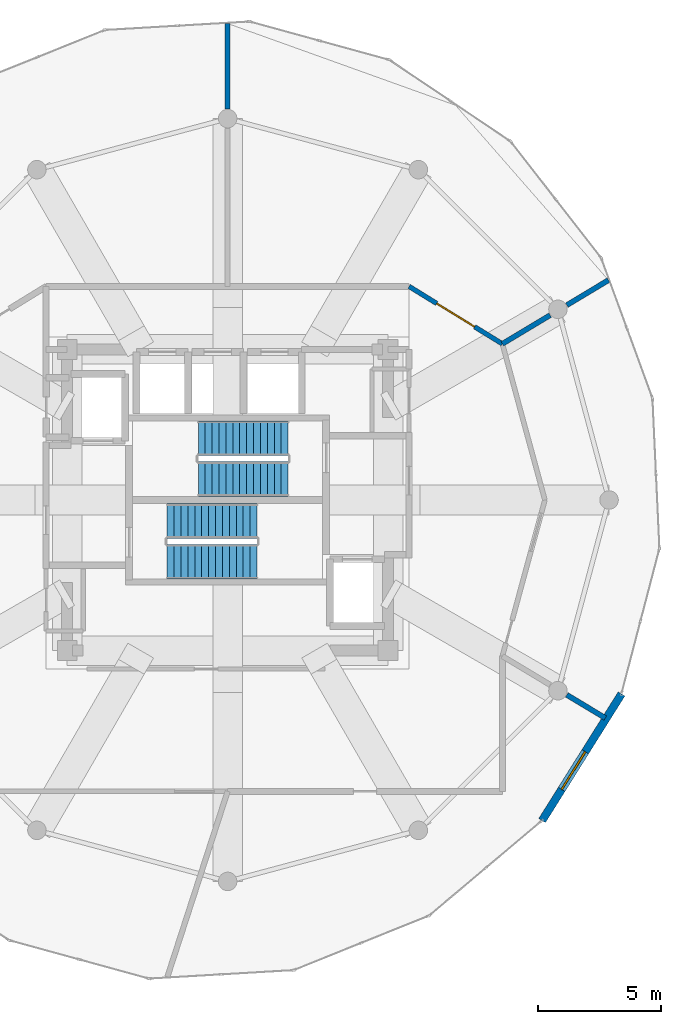
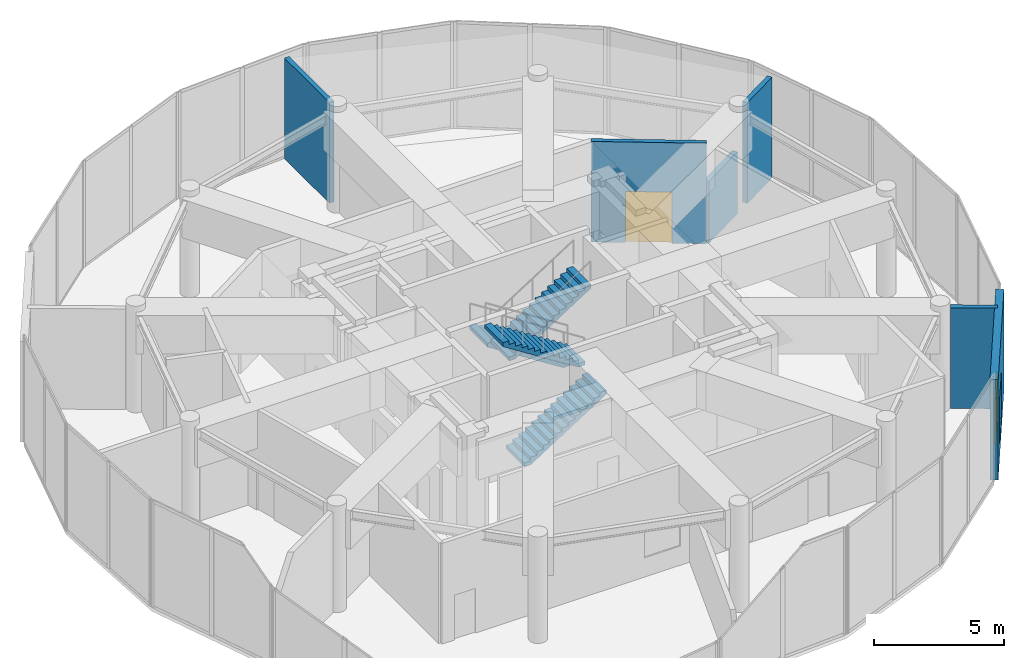
# One storey, part 19 of 20: 6 walls, 4 stair flights, 1 door, 1 window, 2 openings, 2 elements without a shape of their own.
"""IFC4 building model written with IfcOpenShell, lengths in metres."""

import ifcopenshell
import ifcopenshell.guid

model = None  # the IFC model being written
_history = None  # IfcOwnerHistory: only IFC2X3 demands one
_inside = {}  # id of a spatial element -> (the spatial element, [elements in it])
_under = {}  # id of a project, library or spatial element -> (it, [spatial elements below it])
_declared = {}  # id of a project -> (the project, [libraries it declares])
_typed = {}  # id of a type object -> (the type object, [elements of that type])
_made_of = {}  # id of a material, layer set ... -> (it, [elements and type objects made of it])


def new_model(schema):
    """Start an empty IFC model of exactly this schema.

    Asked for "IFC4X3", IfcOpenShell would pick the latest addendum, in which some entities
    have other attributes; the version numbers below select the first issue.
    IFC2X3 requires an IfcOwnerHistory on every rooted entity: one is made here for all.
    """
    global model, _history
    if schema == "IFC4X3":
        model = ifcopenshell.file(schema_version=(4, 3, 0, 0))
    else:
        model = ifcopenshell.file(schema=schema)
    _inside.clear()
    _under.clear()
    _declared.clear()
    _typed.clear()
    _made_of.clear()
    _history = None
    if model.schema == "IFC2X3":
        org = make("IfcOrganization", Name="unknown")
        user = make(
            "IfcPersonAndOrganization",
            ThePerson=make("IfcPerson", FamilyName="unknown"),
            TheOrganization=org,
        )
        app = make(
            "IfcApplication",
            ApplicationDeveloper=org,
            Version="unknown",
            ApplicationFullName="unknown",
            ApplicationIdentifier="unknown",
        )
        _history = make(
            "IfcOwnerHistory",
            OwningUser=user,
            OwningApplication=app,
            ChangeAction="ADDED",
            CreationDate=0,
        )
    return model


def make(cls, **values):
    """One entity of the class cls with the attributes given. An attribute that is None is left unset."""
    return model.create_entity(
        cls, **{name: value for name, value in values.items() if value is not None}
    )


def rooted(cls, **values):
    """An entity with a GlobalId (a new one), such as an element, a storey or a relation."""
    return make(cls, GlobalId=ifcopenshell.guid.new(), OwnerHistory=_history, **values)


def si_unit(unit_type, name, prefix=None):
    """IfcSIUnit, for example si_unit("LENGTHUNIT", "METRE", prefix="MILLI")."""
    return make("IfcSIUnit", UnitType=unit_type, Prefix=prefix, Name=name)


def assignment(units):
    """IfcUnitAssignment: the units of a project."""
    return None if units is None else make("IfcUnitAssignment", Units=units)


def point(xyz):
    """IfcCartesianPoint."""
    return None if xyz is None else make("IfcCartesianPoint", Coordinates=xyz)


def direction(xyz):
    """IfcDirection."""
    return None if xyz is None else make("IfcDirection", DirectionRatios=xyz)


def frame(location, z_axis=None, x_axis=None):
    """IfcAxis2Placement3D, a coordinate frame: its origin and axes. An axis left out is left unset."""
    return make(
        "IfcAxis2Placement3D",
        Location=point(location),
        Axis=direction(z_axis),
        RefDirection=direction(x_axis),
    )


def frame_2d(location, x_axis=None):
    """IfcAxis2Placement2D, a coordinate frame in the plane: its origin and x axis."""
    return make(
        "IfcAxis2Placement2D", Location=point(location), RefDirection=direction(x_axis)
    )


def origin():
    """The frame at (0, 0, 0) with its axes left unset."""
    return frame((0.0, 0.0, 0.0))


def place(relative_to, where):
    """IfcLocalPlacement: puts the frame where relative to a parent placement (None: the world)."""
    return make(
        "IfcLocalPlacement", PlacementRelTo=relative_to, RelativePlacement=where
    )


def context(
    kind, dimensions, precision=None, world=None, true_north=None, identifier=None
):
    """IfcGeometricRepresentationContext, for example the 3D "Model" context."""
    return make(
        "IfcGeometricRepresentationContext",
        ContextIdentifier=identifier,
        ContextType=kind,
        CoordinateSpaceDimension=dimensions,
        Precision=precision,
        WorldCoordinateSystem=world,
        TrueNorth=true_north,
    )


def subcontext(parent, identifier, kind, view, scale=None):
    """IfcGeometricRepresentationSubContext, for example "Body" below "Model"."""
    return make(
        "IfcGeometricRepresentationSubContext",
        ContextIdentifier=identifier,
        ContextType=kind,
        ParentContext=parent,
        TargetScale=scale,
        TargetView=view,
    )


def project(units=None, contexts=None):
    """IfcProject with its units and contexts."""
    return rooted(
        "IfcProject",
        Name="project",
        RepresentationContexts=contexts,
        UnitsInContext=assignment(units),
    )


def spatial(cls, under=None, at=None, **own):
    """A site, building, storey or space (cls), placed at a placement, below another one or the project."""
    s = rooted(cls, ObjectPlacement=at, **own)
    if under is not None:
        _under.setdefault(under.id(), (under, []))[1].append(s)
    return s


def polyline(points):
    """IfcPolyline through the points."""
    return make("IfcPolyline", Points=[point(p) for p in points])


def profile(cls, at=None, kind="AREA", **sizes):
    """A parametric profile (cls). Its sizes go by their IFC names, for example OverallWidth=200.0."""
    return make(cls, ProfileType=kind, Position=at, **sizes)


def rectangle(**sizes):
    """IfcRectangleProfileDef."""
    return profile("IfcRectangleProfileDef", **sizes)


def outline(outer, holes=None, kind="AREA"):
    """IfcArbitraryClosedProfileDef: a profile drawn as a closed curve; with holes, ...WithVoids."""
    if holes is None:
        return make("IfcArbitraryClosedProfileDef", ProfileType=kind, OuterCurve=outer)
    return make(
        "IfcArbitraryProfileDefWithVoids",
        ProfileType=kind,
        OuterCurve=outer,
        InnerCurves=holes,
    )


def extrude(swept, where, along, depth):
    """IfcExtrudedAreaSolid: the profile swept, set in the frame where, extruded along a direction by depth."""
    return make(
        "IfcExtrudedAreaSolid",
        SweptArea=swept,
        Position=where,
        ExtrudedDirection=direction(along),
        Depth=depth,
    )


def shape(context_of_items, identifier, shape_type, items):
    """IfcShapeRepresentation: the items that make up one representation, for example the "Body"."""
    return make(
        "IfcShapeRepresentation",
        ContextOfItems=context_of_items,
        RepresentationIdentifier=identifier,
        RepresentationType=shape_type,
        Items=items,
    )


def material(Name=None, Category=None):
    """IfcMaterial."""
    return make("IfcMaterial", Name=Name, Category=Category)


def layer(
    of_material, thickness, ventilated=None, Name=None, Category=None, Priority=None
):
    """IfcMaterialLayer: one layer of a wall or slab, of a material (None: an air gap)."""
    return make(
        "IfcMaterialLayer",
        Material=of_material,
        LayerThickness=thickness,
        IsVentilated=ventilated,
        Name=Name,
        Category=Category,
        Priority=Priority,
    )


def layer_set(layers, Name=None):
    """IfcMaterialLayerSet."""
    return make("IfcMaterialLayerSet", MaterialLayers=layers, LayerSetName=Name)


def made_of(thing, what):
    """Note that an element or type object is made of a material, layer set ...; save() writes the relation."""
    if what is not None:
        _made_of.setdefault(what.id(), (what, []))[1].append(thing)
    return thing


def type_object(cls, material=None, **own):
    """A type object (cls), such as IfcWallType, which elements share."""
    return made_of(rooted(cls, **own), material)


def element(
    cls,
    number,
    at=None,
    inside=None,
    cuts=None,
    type_object=None,
    material=None,
    context=None,
    identifier="Body",
    shape_type=None,
    held_by="IfcProductDefinitionShape",
    body=None,
    shapes=None,
    **own,
):
    """One element of the class cls, such as IfcWall. Its Tag is "e" and its number.

    at: its placement. inside: the storey or other place that contains it. cuts: it is an
    opening in that element (IfcRelVoidsElement). A single representation is given by context,
    identifier, shape_type and body (its items); several are given by shapes. held_by: the class
    of the entity that holds the representations. save() writes the other relations.
    """
    e = rooted(cls, Tag="e%d" % number, ObjectPlacement=at, **own)
    if body is not None:
        shapes = [shape(context, identifier, shape_type, body)]
    if shapes is not None:
        e.Representation = make(held_by, Representations=shapes)
    if inside is not None:
        _inside.setdefault(inside.id(), (inside, []))[1].append(e)
    if cuts is not None:
        rooted(
            "IfcRelVoidsElement", RelatingBuildingElement=cuts, RelatedOpeningElement=e
        )
    if type_object is not None:
        _typed.setdefault(type_object.id(), (type_object, []))[1].append(e)
    return made_of(e, material)


def fill(opening, filler):
    """IfcRelFillsElement: the door or window that sits in an opening."""
    return rooted(
        "IfcRelFillsElement",
        RelatingOpeningElement=opening,
        RelatedBuildingElement=filler,
    )


def aggregate(whole, parts):
    """IfcRelAggregates: a whole, such as a stair, and the parts it consists of."""
    return rooted("IfcRelAggregates", RelatingObject=whole, RelatedObjects=parts)


def save(model, path):
    """Write the relations noted so far, then the file.

    IfcRelAggregates (storeys below a building ...), IfcRelContainedInSpatialStructure (elements
    in a storey), IfcRelDefinesByType, IfcRelAssociatesMaterial and IfcRelDeclares: one each for
    every whole, place, type object, material and project.
    """
    for whole, parts in _under.values():
        aggregate(whole, parts)
    for where, things in _inside.values():
        rooted(
            "IfcRelContainedInSpatialStructure",
            RelatedElements=things,
            RelatingStructure=where,
        )
    for kind, things in _typed.values():
        rooted("IfcRelDefinesByType", RelatedObjects=things, RelatingType=kind)
    for what, things in _made_of.values():
        rooted("IfcRelAssociatesMaterial", RelatedObjects=things, RelatingMaterial=what)
    for by, libraries in _declared.values():
        rooted("IfcRelDeclares", RelatingContext=by, RelatedDefinitions=libraries)
    model.write(path)


model = new_model("IFC4")

# Units and contexts
model_context = context("Model", 3, precision=1e-05, world=origin(), true_north=direction((0.0, 1.0)))
body_context = subcontext(model_context, "Body", "Model", "MODEL_VIEW")
ifc_project = project(units=[si_unit("LENGTHUNIT", "METRE"), si_unit("AREAUNIT", "SQUARE_METRE"), si_unit("VOLUMEUNIT", "CUBIC_METRE"), si_unit("PLANEANGLEUNIT", "RADIAN"), si_unit("MASSUNIT", "GRAM", prefix="KILO")], contexts=[model_context])

# Site, building, storey
site_placement = place(None, origin())
site = spatial("IfcSite", under=ifc_project, at=site_placement, CompositionType="ELEMENT")
building_placement = place(site_placement, origin())
building = spatial("IfcBuilding", under=site, at=building_placement, Name="Solvirekh Grand Hotel", CompositionType="ELEMENT")
storey_placement = place(building_placement, frame((0.0, 0.0, 297.199951171875)))
storey = spatial("IfcBuildingStorey", under=building, at=storey_placement, Name="L77", CompositionType="ELEMENT", Elevation=297.199951171875)

# Wall, opening, window
ifc_material_1 = material(Name="Precast concrete C45/55", Category="concrete")
ifc_layer_1 = layer(ifc_material_1, 0.320068359375)
ifc_layer_set_1 = layer_set([ifc_layer_1], Name="Precast concrete C45/55")
wall_type_1 = type_object("IfcWallType", Name="ExtLobbyWall_RC320", PredefinedType="SOLIDWALL", material=ifc_layer_set_1)
wall_1_placement = place(storey_placement, frame((15.955078125, -7.85693359375, 0.0), z_axis=(0.0, 0.0, 1.0), x_axis=(-0.53141560639, -0.847111240207, 0.0)))
wall_1 = element("IfcWall", 1, at=wall_1_placement, inside=storey, type_object=wall_type_1, Name="L77 exterior structural wall chord 4", PredefinedType="SOLIDWALL", context=body_context, shape_type="SweptSolid", body=[
    extrude(rectangle(XDim=6.0537109375, YDim=0.320068359375, at=frame_2d((3.02685546875, 0.0))), origin(), (0.0, 0.0, 1.0), 4.719970703125),
])
opening_1_placement = place(wall_1_placement, frame((2.763916015625, 0.0, 0.60009765625)))
opening_1 = element("IfcOpeningElement", 2, at=opening_1_placement, cuts=wall_1, Name="Opening SK02", PredefinedType="OPENING", context=body_context, shape_type="SweptSolid", body=[
    extrude(rectangle(XDim=1.800048828125, YDim=2.199951171875, at=frame_2d((0.89990234375, 1.10009765625))), frame((0.0, 0.169921875, 0.0), z_axis=(0.0, -1.0, 0.0), x_axis=(1.0, 0.0, 0.0)), (0.0, 0.0, 1.0), 0.340087890625),
])
ifc_material_2 = material(Name="Champagne Low-Iron Crown Laminated Glass", Category="glass")
window_type = type_object("IfcWindowType", Name="Skylight_Pod_1800X2200", PartitioningType="SINGLE_PANEL", PredefinedType="SKYLIGHT", material=ifc_material_2)
window_placement = place(opening_1_placement, origin())
window = element("IfcWindow", 3, at=window_placement, inside=storey, type_object=window_type, Name="L77 high-level clerestory skylight 4", OverallHeight=2.199951171875, OverallWidth=1.800048828125, PartitioningType="SINGLE_PANEL", PredefinedType="SKYLIGHT", context=body_context, shape_type="SweptSolid", body=[
    extrude(rectangle(XDim=1.800048828125, YDim=2.199951171875, at=frame_2d((0.89990234375, 1.10009765625))), frame((0.0, 0.030029296875, 0.0), z_axis=(0.0, -1.0, 0.0), x_axis=(1.0, 0.0, 0.0)), (0.0, 0.0, 1.0), 0.06005859375),
])
fill(opening_1, window)

# Wall, opening, door
ifc_material_3 = material(Name="Acoustic Gypsum Partition Assembly")
ifc_layer_2 = layer(ifc_material_3, 0.18994140625)
ifc_layer_set_2 = layer_set([ifc_layer_2], Name="Acoustic Gypsum Partition Assembly")
wall_type_2 = type_object("IfcWallType", Name="Part_GuestDemise_190", PredefinedType="PARTITIONING", material=ifc_layer_set_2)
wall_2_placement = place(storey_placement, frame((7.35009765625, 8.64990234375, 0.0), z_axis=(0.0, 0.0, 1.0), x_axis=(0.851645088617, -0.524118920699, 0.0)))
wall_2 = element("IfcWall", 4, at=wall_2_placement, inside=storey, type_object=wall_type_2, Name="L77 Observation Deck corridor wall", PredefinedType="PARTITIONING", context=body_context, shape_type="SweptSolid", body=[
    extrude(rectangle(XDim=4.43603515625, YDim=0.18994140625, at=frame_2d((2.218017578125, 0.0))), origin(), (0.0, 0.0, 1.0), 4.719970703125),
])
opening_2_placement = place(wall_2_placement, frame((1.318115234375, 0.0, 0.0)))
opening_2 = element("IfcOpeningElement", 5, at=opening_2_placement, cuts=wall_2, Name="Opening D11", PredefinedType="OPENING", context=body_context, shape_type="SweptSolid", body=[
    extrude(rectangle(XDim=1.800048828125, YDim=2.39990234375, at=frame_2d((0.89990234375, 1.199951171875))), frame((0.0, 0.10498046875, 0.0), z_axis=(0.0, -1.0, 0.0), x_axis=(1.0, 0.0, 0.0)), (0.0, 0.0, 1.0), 0.2099609375),
])
ifc_material_4 = material(Name="Fire-Rated Steel Door Assembly", Category="steel")
door_type = type_object("IfcDoorType", Name="Door_Ballroom_1800X2400", OperationType="NOTDEFINED", PredefinedType="DOOR", material=ifc_material_4)
door_placement = place(opening_2_placement, origin())
door = element("IfcDoor", 6, at=door_placement, inside=storey, type_object=door_type, Name="L77 Observation Deck entrance door", OperationType="SINGLE_SWING_RIGHT", OverallHeight=2.39990234375, OverallWidth=1.800048828125, PredefinedType="DOOR", context=body_context, shape_type="SweptSolid", body=[
    extrude(rectangle(XDim=1.800048828125, YDim=2.39990234375, at=frame_2d((0.89990234375, 1.199951171875))), frame((0.0, 0.02490234375, 0.0), z_axis=(0.0, -1.0, 0.0), x_axis=(1.0, 0.0, 0.0)), (0.0, 0.0, 1.0), 0.050048828125),
])
fill(opening_2, door)

# Walls
ifc_layer_3 = layer(ifc_material_3, 0.2099609375)
ifc_layer_set_3 = layer_set([ifc_layer_3], Name="Acoustic Gypsum Partition Assembly")
wall_type_3 = type_object("IfcWallType", Name="Part_SuiteDemise_210", PredefinedType="PARTITIONING", material=ifc_layer_set_3)
wall_3_placement = place(storey_placement, frame((11.1279296875, 6.324951171875, 0.0), z_axis=(0.0, 0.0, 1.0), x_axis=(0.857206654834, 0.514972572967, 0.0)))
element("IfcWall", 7, at=wall_3_placement, inside=storey, type_object=wall_type_3, Name="L77 radial demising wall 2 (A)", PredefinedType="PARTITIONING", context=body_context, shape_type="SweptSolid", body=[
    extrude(rectangle(XDim=2.258544921875, YDim=0.2099609375, at=frame_2d((1.12939453125, 0.0))), origin(), (0.0, 0.0, 1.0), 2.905029296875),
])
wall_4_placement = place(storey_placement, frame((13.738037109375, 7.89208984375, 0.0), z_axis=(0.0, 0.0, 1.0), x_axis=(0.857197078032, 0.514988513865, 0.0)))
element("IfcWall", 8, at=wall_4_placement, inside=storey, type_object=wall_type_3, Name="L77 radial demising wall 2 (B)", PredefinedType="PARTITIONING", context=body_context, shape_type="SweptSolid", body=[
    extrude(rectangle(XDim=1.966796875, YDim=0.2099609375, at=frame_2d((0.9833984375, 0.0))), origin(), (0.0, 0.0, 1.0), 4.719970703125),
])
wall_5_placement = place(storey_placement, frame((13.737060546875, -7.89306640625, 0.0), z_axis=(0.0, 0.0, 1.0), x_axis=(0.857019202275, -0.515284471853, 0.0)))
element("IfcWall", 9, at=wall_5_placement, inside=storey, type_object=wall_type_3, Name="L77 radial demising wall 12 (B)", PredefinedType="PARTITIONING", context=body_context, shape_type="SweptSolid", body=[
    extrude(rectangle(XDim=1.8203125, YDim=0.2099609375, at=frame_2d((0.91015625, 0.0))), origin(), (0.0, 0.0, 1.0), 4.719970703125),
])
wall_6_placement = place(storey_placement, frame((0.0, 15.844970703125, 0.0), z_axis=(0.0, 0.0, 1.0), x_axis=(0.0, 1.0, 0.0)))
element("IfcWall", 10, at=wall_6_placement, inside=storey, type_object=wall_type_3, Name="L77 Observation Deck dividing partition 1 (B)", PredefinedType="PARTITIONING", context=body_context, shape_type="SweptSolid", body=[
    extrude(rectangle(XDim=3.4560546875, YDim=0.2099609375, at=frame_2d((1.72802734375, 0.0))), origin(), (0.0, 0.0, 1.0), 4.719970703125),
])

# Stair, stair flights
ifc_material_5 = material(Name="Concrete C40/50", Category="concrete")
stair_type = type_object("IfcStairType", Name="Stair_Core_1450", PredefinedType="HALF_TURN_STAIR", material=ifc_material_5)
stair_1_placement = place(storey_placement, origin())
stair_1 = element("IfcStair", 11, at=stair_1_placement, inside=storey, type_object=stair_type, Name="L77 Enclosed exit stair ST-1", PredefinedType="HALF_TURN_STAIR")
stair_flight_type = type_object("IfcStairFlightType", Name="Flight_Core_1450", PredefinedType="STRAIGHT", material=ifc_material_5)
stair_flight_1_placement = place(storey_placement, frame((-2.449951171875, -2.5, 0.0), z_axis=(0.0, 0.0, 1.0), x_axis=(1.0, 0.0, 0.0)))
stair_flight_1 = element("IfcStairFlight", 12, at=stair_flight_1_placement, type_object=stair_flight_type, Name="ST-1 flight 1", NumberOfRisers=14, NumberOfTreads=13, PredefinedType="STRAIGHT", RiserHeight=0.178571429, TreadLength=0.28, context=body_context, shape_type="SweptSolid", body=[
    extrude(outline(polyline([(0.0, 0.0), (0.0, 0.178466796875), (0.280029296875, 0.178466796875), (0.280029296875, 0.357177734375), (0.56005859375, 0.357177734375), (0.56005859375, 0.53564453125), (0.840087890625, 0.53564453125), (0.840087890625, 0.71435546875), (1.1201171875, 0.71435546875), (1.1201171875, 0.892822265625), (1.39990234375, 0.892822265625), (1.39990234375, 1.071533203125), (1.679931640625, 1.071533203125), (1.679931640625, 1.25), (1.9599609375, 1.25), (1.9599609375, 1.428466796875), (2.239990234375, 1.428466796875), (2.239990234375, 1.607177734375), (2.52001953125, 1.607177734375), (2.52001953125, 1.78564453125), (2.800048828125, 1.78564453125), (2.800048828125, 1.96435546875), (3.080078125, 1.96435546875), (3.080078125, 2.142822265625), (3.360107421875, 2.142822265625), (3.360107421875, 2.321533203125), (3.639892578125, 2.321533203125), (3.639892578125, 2.5), (3.639892578125, 2.1435546875), (0.27880859375, 0.0), (0.0, 0.0)])), frame((0.0, 0.699951171875, 0.0), z_axis=(0.0, -1.0, 0.0), x_axis=(1.0, 0.0, 0.0)), (0.0, 0.0, 1.0), 1.39990234375),
])
stair_flight_2_placement = place(storey_placement, frame((1.18994140625, -0.85009765625, 2.5), z_axis=(0.0, 0.0, 1.0), x_axis=(-1.0, 0.0, 0.0)))
stair_flight_2 = element("IfcStairFlight", 13, at=stair_flight_2_placement, type_object=stair_flight_type, Name="ST-1 flight 2", NumberOfRisers=14, NumberOfTreads=13, PredefinedType="STRAIGHT", RiserHeight=0.178571429, TreadLength=0.28, context=body_context, shape_type="SweptSolid", body=[
    extrude(outline(polyline([(0.0, 0.0), (0.0, 0.178466796875), (0.280029296875, 0.178466796875), (0.280029296875, 0.357177734375), (0.56005859375, 0.357177734375), (0.56005859375, 0.53564453125), (0.840087890625, 0.53564453125), (0.840087890625, 0.71435546875), (1.1201171875, 0.71435546875), (1.1201171875, 0.892822265625), (1.39990234375, 0.892822265625), (1.39990234375, 1.071533203125), (1.679931640625, 1.071533203125), (1.679931640625, 1.25), (1.9599609375, 1.25), (1.9599609375, 1.428466796875), (2.239990234375, 1.428466796875), (2.239990234375, 1.607177734375), (2.52001953125, 1.607177734375), (2.52001953125, 1.78564453125), (2.800048828125, 1.78564453125), (2.800048828125, 1.96435546875), (3.080078125, 1.96435546875), (3.080078125, 2.142822265625), (3.360107421875, 2.142822265625), (3.360107421875, 2.321533203125), (3.639892578125, 2.321533203125), (3.639892578125, 2.5), (3.639892578125, 2.1435546875), (0.27880859375, 0.0), (0.0, 0.0)])), frame((0.0, 0.699951171875, 0.0), z_axis=(0.0, -1.0, 0.0), x_axis=(1.0, 0.0, 0.0)), (0.0, 0.0, 1.0), 1.39990234375),
])
aggregate(stair_1, [stair_flight_1, stair_flight_2])

stair_2_placement = place(storey_placement, origin())
stair_2 = element("IfcStair", 14, at=stair_2_placement, inside=storey, type_object=stair_type, Name="L77 Enclosed exit stair ST-2", PredefinedType="HALF_TURN_STAIR")
stair_flight_3_placement = place(storey_placement, frame((2.449951171875, 2.5, 0.0), z_axis=(0.0, 0.0, 1.0), x_axis=(-1.0, 0.0, 0.0)))
stair_flight_3 = element("IfcStairFlight", 15, at=stair_flight_3_placement, type_object=stair_flight_type, Name="ST-2 flight 1", NumberOfRisers=14, NumberOfTreads=13, PredefinedType="STRAIGHT", RiserHeight=0.178571429, TreadLength=0.28, context=body_context, shape_type="SweptSolid", body=[
    extrude(outline(polyline([(0.0, 0.0), (0.0, 0.178466796875), (0.280029296875, 0.178466796875), (0.280029296875, 0.357177734375), (0.56005859375, 0.357177734375), (0.56005859375, 0.53564453125), (0.840087890625, 0.53564453125), (0.840087890625, 0.71435546875), (1.1201171875, 0.71435546875), (1.1201171875, 0.892822265625), (1.39990234375, 0.892822265625), (1.39990234375, 1.071533203125), (1.679931640625, 1.071533203125), (1.679931640625, 1.25), (1.9599609375, 1.25), (1.9599609375, 1.428466796875), (2.239990234375, 1.428466796875), (2.239990234375, 1.607177734375), (2.52001953125, 1.607177734375), (2.52001953125, 1.78564453125), (2.800048828125, 1.78564453125), (2.800048828125, 1.96435546875), (3.080078125, 1.96435546875), (3.080078125, 2.142822265625), (3.360107421875, 2.142822265625), (3.360107421875, 2.321533203125), (3.639892578125, 2.321533203125), (3.639892578125, 2.5), (3.639892578125, 2.1435546875), (0.27880859375, 0.0), (0.0, 0.0)])), frame((0.0, 0.699951171875, 0.0), z_axis=(0.0, -1.0, 0.0), x_axis=(1.0, 0.0, 0.0)), (0.0, 0.0, 1.0), 1.39990234375),
])
stair_flight_4_placement = place(storey_placement, frame((-1.18994140625, 0.85009765625, 2.5), z_axis=(0.0, 0.0, 1.0), x_axis=(1.0, 0.0, 0.0)))
stair_flight_4 = element("IfcStairFlight", 16, at=stair_flight_4_placement, type_object=stair_flight_type, Name="ST-2 flight 2", NumberOfRisers=14, NumberOfTreads=13, PredefinedType="STRAIGHT", RiserHeight=0.178571429, TreadLength=0.28, context=body_context, shape_type="SweptSolid", body=[
    extrude(outline(polyline([(0.0, 0.0), (0.0, 0.178466796875), (0.280029296875, 0.178466796875), (0.280029296875, 0.357177734375), (0.56005859375, 0.357177734375), (0.56005859375, 0.53564453125), (0.840087890625, 0.53564453125), (0.840087890625, 0.71435546875), (1.1201171875, 0.71435546875), (1.1201171875, 0.892822265625), (1.39990234375, 0.892822265625), (1.39990234375, 1.071533203125), (1.679931640625, 1.071533203125), (1.679931640625, 1.25), (1.9599609375, 1.25), (1.9599609375, 1.428466796875), (2.239990234375, 1.428466796875), (2.239990234375, 1.607177734375), (2.52001953125, 1.607177734375), (2.52001953125, 1.78564453125), (2.800048828125, 1.78564453125), (2.800048828125, 1.96435546875), (3.080078125, 1.96435546875), (3.080078125, 2.142822265625), (3.360107421875, 2.142822265625), (3.360107421875, 2.321533203125), (3.639892578125, 2.321533203125), (3.639892578125, 2.5), (3.639892578125, 2.1435546875), (0.27880859375, 0.0), (0.0, 0.0)])), frame((0.0, 0.699951171875, 0.0), z_axis=(0.0, -1.0, 0.0), x_axis=(1.0, 0.0, 0.0)), (0.0, 0.0, 1.0), 1.39990234375),
])
aggregate(stair_2, [stair_flight_3, stair_flight_4])

save(model, "model.ifc")
